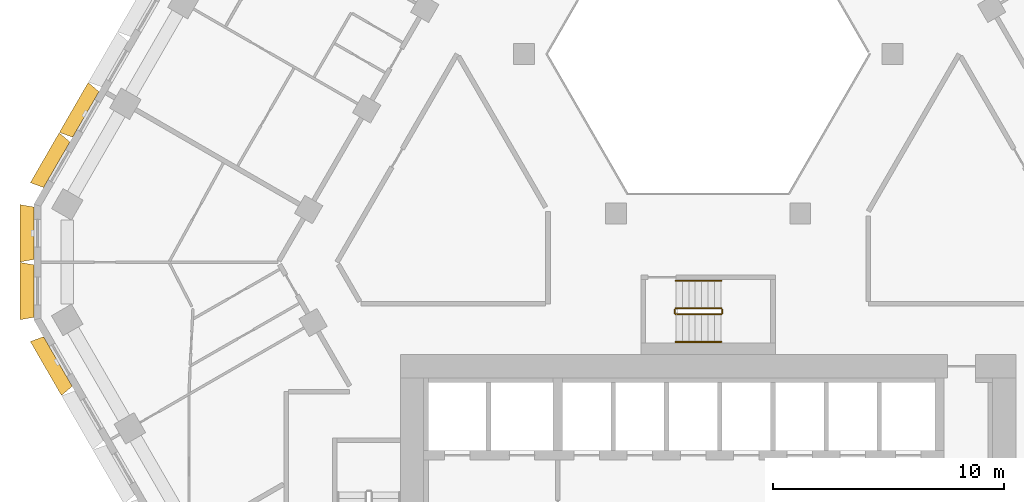
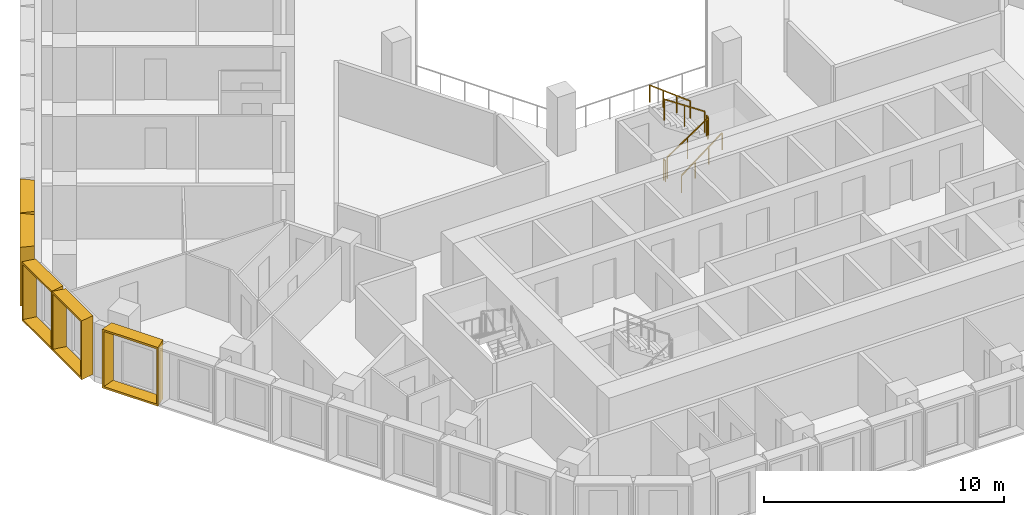
# One storey, part 16 of 18: 6 railings, 5 shading devices.
"""IFC4 building model written with IfcOpenShell, lengths in metres."""

from ifc_helpers import new_model, entity, si_unit, direction, frame, origin, origin_2d, place, context, subcontext, project, spatial, rectangle, extrude, source, transform, mapped, material, type_object, type_shapes, element, save


model = new_model("IFC4")

# Units and contexts
model_context = context("Model", 3, precision=1e-05, world=origin(), true_north=direction((0.0, 1.0)))
body_context = subcontext(model_context, "Body", "Model", "MODEL_VIEW")
ifc_project = project(units=[si_unit("LENGTHUNIT", "METRE"), si_unit("AREAUNIT", "SQUARE_METRE"), si_unit("VOLUMEUNIT", "CUBIC_METRE"), si_unit("PLANEANGLEUNIT", "RADIAN"), si_unit("MASSUNIT", "GRAM", prefix="KILO")], contexts=[model_context])

# Site, building, storey
site_placement = place(None, origin())
site = spatial("IfcSite", under=ifc_project, at=site_placement, CompositionType="ELEMENT")
building_placement = place(site_placement, origin())
building = spatial("IfcBuilding", under=site, at=building_placement, Name="Beryl Residences", CompositionType="ELEMENT")
storey_placement = place(building_placement, frame((0.0, 0.0, 81.0)))
storey = spatial("IfcBuildingStorey", under=building, at=storey_placement, Name="L24", CompositionType="ELEMENT", Elevation=81.0)

# Shading devices
ifc_material_1 = material(Name="Aluminium pale anodised", Category="aluminium")
shading_device_type_1 = type_object("IfcShadingDeviceType", Name="FR250-60A OUTER SKIN frame 600 mm deep, splay 10/10 deg, 2500 x 3000 mm cell", PredefinedType="USERDEFINED", material=ifc_material_1)
cartesian_point_1 = entity("IfcCartesianPoint", [-1.134033203125, 0.0])
cartesian_point_2 = entity("IfcCartesianPoint", [-1.052734375, 0.10009765625])
cartesian_point_3 = entity("IfcCartesianPoint", [-1.23974609375, 0.0])
cartesian_point_4 = entity("IfcCartesianPoint", [-1.158447265625, 0.10009765625])
shared_shape_1 = source(origin(), body_context, "Body", "SweptSolid", [
    entity("IfcExtrudedAreaSolidTapered", entity("IfcArbitraryProfileDefWithVoids", "AREA", None, entity("IfcPolyline", [cartesian_point_1, entity("IfcCartesianPoint", [1.134033203125, 0.0]), entity("IfcCartesianPoint", [1.134033203125, 3.0]), entity("IfcCartesianPoint", [-1.134033203125, 3.0]), cartesian_point_1]), [entity("IfcPolyline", [cartesian_point_2, entity("IfcCartesianPoint", [1.052734375, 0.10009765625]), entity("IfcCartesianPoint", [1.052734375, 2.89990234375]), entity("IfcCartesianPoint", [-1.052734375, 2.89990234375]), cartesian_point_2])]), entity("IfcAxis2Placement3D", entity("IfcCartesianPoint", [0.0, 0.0, 0.0]), entity("IfcDirection", [0.0, 1.0, 0.0]), entity("IfcDirection", [-1.0, 0.0, 0.0])), entity("IfcDirection", [0.0, 0.0, 1.0]), 0.60009765625, entity("IfcArbitraryProfileDefWithVoids", "AREA", None, entity("IfcPolyline", [cartesian_point_3, entity("IfcCartesianPoint", [1.23974609375, 0.0]), entity("IfcCartesianPoint", [1.23974609375, 3.0]), entity("IfcCartesianPoint", [-1.23974609375, 3.0]), cartesian_point_3]), [entity("IfcPolyline", [cartesian_point_4, entity("IfcCartesianPoint", [1.158447265625, 0.10009765625]), entity("IfcCartesianPoint", [1.158447265625, 2.89990234375]), entity("IfcCartesianPoint", [-1.158447265625, 2.89990234375]), cartesian_point_4])])),
])
type_shapes(shading_device_type_1, [shared_shape_1])
for number, where, z_axis, x_axis, name in (
    (1, (-29.156982421875, 0.25, 0.0), (0.0, 0.0, 1.0), (0.0, 1.0, 0.0), "FR250-60A frame L24 NW-SW 1"),
    (2, (-29.156982421875, -2.25, 0.0), (0.0, 0.0, 1.0), (0.0, 1.0, 0.0), "FR250-60A frame L24 NW-SW 2"),
):
    element("IfcShadingDevice", number, at=place(storey_placement, frame(where, z_axis=z_axis, x_axis=x_axis)), inside=storey, type_object=shading_device_type_1, Name=name, ObjectType="OUTER SKIN", PredefinedType="USERDEFINED", context=body_context, shape_type="MappedRepresentation", body=[
        mapped(shared_shape_1, transform((0.0, 0.0, 0.0))),
    ])
ifc_material_2 = material(Name="Aluminium pale anodised", Category="aluminium")
shading_device_type_2 = type_object("IfcShadingDeviceType", Name="FR251-60A OUTER SKIN frame 600 mm deep, splay 10/10 deg, 2510 x 3000 mm cell", PredefinedType="USERDEFINED", material=ifc_material_2)
cartesian_point_5 = entity("IfcCartesianPoint", [-1.138916015625, 0.0])
cartesian_point_6 = entity("IfcCartesianPoint", [-1.057861328125, 0.10009765625])
cartesian_point_7 = entity("IfcCartesianPoint", [-1.244873046875, 0.0])
cartesian_point_8 = entity("IfcCartesianPoint", [-1.16357421875, 0.10009765625])
shared_shape_2 = source(origin(), body_context, "Body", "SweptSolid", [
    entity("IfcExtrudedAreaSolidTapered", entity("IfcArbitraryProfileDefWithVoids", "AREA", None, entity("IfcPolyline", [cartesian_point_5, entity("IfcCartesianPoint", [1.138916015625, 0.0]), entity("IfcCartesianPoint", [1.138916015625, 3.0]), entity("IfcCartesianPoint", [-1.138916015625, 3.0]), cartesian_point_5]), [entity("IfcPolyline", [cartesian_point_6, entity("IfcCartesianPoint", [1.057861328125, 0.10009765625]), entity("IfcCartesianPoint", [1.057861328125, 2.89990234375]), entity("IfcCartesianPoint", [-1.057861328125, 2.89990234375]), cartesian_point_6])]), entity("IfcAxis2Placement3D", entity("IfcCartesianPoint", [0.0, 0.0, 0.0]), entity("IfcDirection", [0.0, 1.0, 0.0]), entity("IfcDirection", [-1.0, 0.0, 0.0])), entity("IfcDirection", [0.0, 0.0, 1.0]), 0.60009765625, entity("IfcArbitraryProfileDefWithVoids", "AREA", None, entity("IfcPolyline", [cartesian_point_7, entity("IfcCartesianPoint", [1.244873046875, 0.0]), entity("IfcCartesianPoint", [1.244873046875, 3.0]), entity("IfcCartesianPoint", [-1.244873046875, 3.0]), cartesian_point_7]), [entity("IfcPolyline", [cartesian_point_8, entity("IfcCartesianPoint", [1.16357421875, 0.10009765625]), entity("IfcCartesianPoint", [1.16357421875, 2.89990234375]), entity("IfcCartesianPoint", [-1.16357421875, 2.89990234375]), cartesian_point_8])])),
])
type_shapes(shading_device_type_2, [shared_shape_2])
for number, where, z_axis, x_axis, name in (
    (3, (-26.912109375, 5.387939453125, 0.0), (0.0, 0.0, 1.0), (0.5, 0.866025403784, 0.0), "FR251-60A frame L24 NW 9"),
    (4, (-28.16796875, 3.212890625, 0.0), (0.0, 0.0, 1.0), (0.5, 0.866025403784, 0.0), "FR251-60A frame L24 NW 10"),
):
    element("IfcShadingDevice", number, at=place(storey_placement, frame(where, z_axis=z_axis, x_axis=x_axis)), inside=storey, type_object=shading_device_type_2, Name=name, ObjectType="OUTER SKIN", PredefinedType="USERDEFINED", context=body_context, shape_type="MappedRepresentation", body=[
        mapped(shared_shape_2, transform((0.0, 0.0, 0.0))),
    ])
ifc_material_3 = material(Name="Aluminium pale anodised", Category="aluminium")
shading_device_type_3 = type_object("IfcShadingDeviceType", Name="FR271-60A OUTER SKIN frame 600 mm deep, splay 10/10 deg, 2710 x 3000 mm cell", PredefinedType="USERDEFINED", material=ifc_material_3)
cartesian_point_9 = entity("IfcCartesianPoint", [-1.239013671875, 0.0])
cartesian_point_10 = entity("IfcCartesianPoint", [-1.15771484375, 0.10009765625])
cartesian_point_11 = entity("IfcCartesianPoint", [-1.3447265625, 0.0])
cartesian_point_12 = entity("IfcCartesianPoint", [-1.263671875, 0.10009765625])
shared_shape_3 = source(origin(), body_context, "Body", "SweptSolid", [
    entity("IfcExtrudedAreaSolidTapered", entity("IfcArbitraryProfileDefWithVoids", "AREA", None, entity("IfcPolyline", [cartesian_point_9, entity("IfcCartesianPoint", [1.239013671875, 0.0]), entity("IfcCartesianPoint", [1.239013671875, 3.0]), entity("IfcCartesianPoint", [-1.239013671875, 3.0]), cartesian_point_9]), [entity("IfcPolyline", [cartesian_point_10, entity("IfcCartesianPoint", [1.15771484375, 0.10009765625]), entity("IfcCartesianPoint", [1.15771484375, 2.89990234375]), entity("IfcCartesianPoint", [-1.15771484375, 2.89990234375]), cartesian_point_10])]), entity("IfcAxis2Placement3D", entity("IfcCartesianPoint", [0.0, 0.0, 0.0]), entity("IfcDirection", [0.0, 1.0, 0.0]), entity("IfcDirection", [-1.0, 0.0, 0.0])), entity("IfcDirection", [0.0, 0.0, 1.0]), 0.60009765625, entity("IfcArbitraryProfileDefWithVoids", "AREA", None, entity("IfcPolyline", [cartesian_point_11, entity("IfcCartesianPoint", [1.3447265625, 0.0]), entity("IfcCartesianPoint", [1.3447265625, 3.0]), entity("IfcCartesianPoint", [-1.3447265625, 3.0]), cartesian_point_11]), [entity("IfcPolyline", [cartesian_point_12, entity("IfcCartesianPoint", [1.263671875, 0.10009765625]), entity("IfcCartesianPoint", [1.263671875, 2.89990234375]), entity("IfcCartesianPoint", [-1.263671875, 2.89990234375]), cartesian_point_12])])),
])
type_shapes(shading_device_type_3, [shared_shape_3])
shading_device_placement = place(storey_placement, frame((-28.118896484375, -5.2958984375, 0.0), z_axis=(0.0, 0.0, 1.0), x_axis=(-0.5, 0.866025403784, 0.0)))
element("IfcShadingDevice", 5, at=shading_device_placement, inside=storey, type_object=shading_device_type_3, Name="FR271-60A frame L24 SW 1", ObjectType="OUTER SKIN", PredefinedType="USERDEFINED", context=body_context, shape_type="MappedRepresentation", body=[
    mapped(shared_shape_3, transform((0.0, 0.0, 0.0))),
])

# Railings
ifc_material_4 = material(Name="Stainless steel balustrade with glass infill", Category="steel")
railing_type_1 = type_object("IfcRailingType", Name="SG1 stair guard 1100 mm", PredefinedType="GUARDRAIL", material=ifc_material_4)
railing_1_placement = place(storey_placement, frame((-1.39990234375, -3.25, 0.1875)))
element("IfcRailing", 6, at=railing_1_placement, inside=storey, type_object=railing_type_1, Name="L24 ST-4 stair guard 1", PredefinedType="GUARDRAIL", context=body_context, shape_type="SweptSolid", body=[
    extrude(rectangle(XDim=0.048095703125, YDim=0.048095703125, at=origin_2d()), frame((0.0, 0.0, 1.076171875), z_axis=(0.830902050051, 0.0, 0.556418712142), x_axis=(0.0, 1.0, 0.0)), (0.0, 0.0, 1.0), 2.35888671875),
    extrude(rectangle(XDim=0.0419921875, YDim=0.0419921875, at=origin_2d()), origin(), (0.0, 0.0, 1.0), 1.052001953125),
    extrude(rectangle(XDim=0.0419921875, YDim=0.0419921875, at=origin_2d()), frame((0.97998046875, 0.0, 0.65625)), (0.0, 0.0, 1.0), 1.052001953125),
    extrude(rectangle(XDim=0.0419921875, YDim=0.0419921875, at=origin_2d()), frame((1.9599609375, 0.0, 1.3125)), (0.0, 0.0, 1.0), 1.052001953125),
])
railing_2_placement = place(storey_placement, frame((0.610107421875, -3.199951171875, 1.5)))
element("IfcRailing", 7, at=railing_2_placement, inside=storey, type_object=railing_type_1, Name="L24 ST-4 stair guard 2", PredefinedType="GUARDRAIL", context=body_context, shape_type="SweptSolid", body=[
    extrude(rectangle(XDim=0.048095703125, YDim=0.048095703125, at=origin_2d()), frame((0.0, 0.0, 1.076171875), z_axis=(0.0, 1.0, 0.0), x_axis=(-1.0, 0.0, 0.0)), (0.0, 0.0, 1.0), 0.14990234375),
    extrude(rectangle(XDim=0.0419921875, YDim=0.0419921875, at=origin_2d()), origin(), (0.0, 0.0, 1.0), 1.052001953125),
    extrude(rectangle(XDim=0.0419921875, YDim=0.0419921875, at=origin_2d()), frame((0.0, 0.14990234375, 0.0)), (0.0, 0.0, 1.0), 1.052001953125),
])
railing_3_placement = place(storey_placement, frame((0.56005859375, -3.0, 1.6875)))
element("IfcRailing", 8, at=railing_3_placement, inside=storey, type_object=railing_type_1, Name="L24 ST-4 stair guard 3", PredefinedType="GUARDRAIL", context=body_context, shape_type="SweptSolid", body=[
    extrude(rectangle(XDim=0.048095703125, YDim=0.048095703125, at=origin_2d()), frame((0.0, 0.0, 1.076171875), z_axis=(-0.830902050051, 0.0, 0.556418712142), x_axis=(0.0, -1.0, 0.0)), (0.0, 0.0, 1.0), 2.35888671875),
    extrude(rectangle(XDim=0.0419921875, YDim=0.0419921875, at=origin_2d()), origin(), (0.0, 0.0, 1.0), 1.052001953125),
    extrude(rectangle(XDim=0.0419921875, YDim=0.0419921875, at=origin_2d()), frame((-0.97998046875, 0.0, 0.65625)), (0.0, 0.0, 1.0), 1.052001953125),
    extrude(rectangle(XDim=0.0419921875, YDim=0.0419921875, at=origin_2d()), frame((-1.9599609375, 0.0, 1.3125)), (0.0, 0.0, 1.0), 1.052001953125),
])
railing_4_placement = place(storey_placement, frame((-1.449951171875, -3.199951171875, 0.0)))
element("IfcRailing", 9, at=railing_4_placement, inside=storey, type_object=railing_type_1, Name="L24 ST-4 stair guard 4", PredefinedType="GUARDRAIL", context=body_context, shape_type="SweptSolid", body=[
    extrude(rectangle(XDim=0.048095703125, YDim=0.048095703125, at=origin_2d()), frame((0.0, 0.0, 1.076171875), z_axis=(0.0, 1.0, 0.0), x_axis=(-1.0, 0.0, 0.0)), (0.0, 0.0, 1.0), 0.14990234375),
    extrude(rectangle(XDim=0.0419921875, YDim=0.0419921875, at=origin_2d()), origin(), (0.0, 0.0, 1.0), 1.052001953125),
    extrude(rectangle(XDim=0.0419921875, YDim=0.0419921875, at=origin_2d()), frame((0.0, 0.14990234375, 0.0)), (0.0, 0.0, 1.0), 1.052001953125),
])
ifc_material_5 = material(Name="Stainless steel handrail", Category="steel")
railing_type_2 = type_object("IfcRailingType", Name="SRL1 stair handrail 900 mm", PredefinedType="HANDRAIL", material=ifc_material_5)
railing_5_placement = place(storey_placement, frame((-1.39990234375, -4.449951171875, 0.1875)))
element("IfcRailing", 10, at=railing_5_placement, inside=storey, type_object=railing_type_2, Name="L24 ST-4 stair handrail 1", PredefinedType="HANDRAIL", context=body_context, shape_type="SweptSolid", body=[
    extrude(rectangle(XDim=0.048095703125, YDim=0.048095703125, at=origin_2d()), frame((0.0, 0.0, 0.8759765625), z_axis=(0.794121922505, 0.0, 0.607758481798), x_axis=(0.0, 1.0, 0.0)), (0.0, 0.0, 1.0), 2.468017578125),
    extrude(rectangle(XDim=0.0419921875, YDim=0.0419921875, at=origin_2d()), origin(), (0.0, 0.0, 1.0), 0.851806640625),
    extrude(rectangle(XDim=0.0419921875, YDim=0.0419921875, at=origin_2d()), frame((0.6533203125, 0.0, 0.5)), (0.0, 0.0, 1.0), 0.851806640625),
    extrude(rectangle(XDim=0.0419921875, YDim=0.0419921875, at=origin_2d()), frame((1.306640625, 0.0, 1.0)), (0.0, 0.0, 1.0), 0.851806640625),
    extrude(rectangle(XDim=0.0419921875, YDim=0.0419921875, at=origin_2d()), frame((1.9599609375, 0.0, 1.5)), (0.0, 0.0, 1.0), 0.851806640625),
])
railing_6_placement = place(storey_placement, frame((0.56005859375, -1.800048828125, 1.6875)))
element("IfcRailing", 11, at=railing_6_placement, inside=storey, type_object=railing_type_2, Name="L24 ST-4 stair handrail 2", PredefinedType="HANDRAIL", context=body_context, shape_type="SweptSolid", body=[
    extrude(rectangle(XDim=0.048095703125, YDim=0.048095703125, at=origin_2d()), frame((0.0, 0.0, 0.8759765625), z_axis=(-0.794121922505, 0.0, 0.607758481798), x_axis=(0.0, -1.0, 0.0)), (0.0, 0.0, 1.0), 2.468017578125),
    extrude(rectangle(XDim=0.0419921875, YDim=0.0419921875, at=origin_2d()), origin(), (0.0, 0.0, 1.0), 0.851806640625),
    extrude(rectangle(XDim=0.0419921875, YDim=0.0419921875, at=origin_2d()), frame((-0.6533203125, 0.0, 0.5)), (0.0, 0.0, 1.0), 0.851806640625),
    extrude(rectangle(XDim=0.0419921875, YDim=0.0419921875, at=origin_2d()), frame((-1.306640625, 0.0, 1.0)), (0.0, 0.0, 1.0), 0.851806640625),
    extrude(rectangle(XDim=0.0419921875, YDim=0.0419921875, at=origin_2d()), frame((-1.9599609375, 0.0, 1.5)), (0.0, 0.0, 1.0), 0.851806640625),
])

save(model, "model.ifc")
